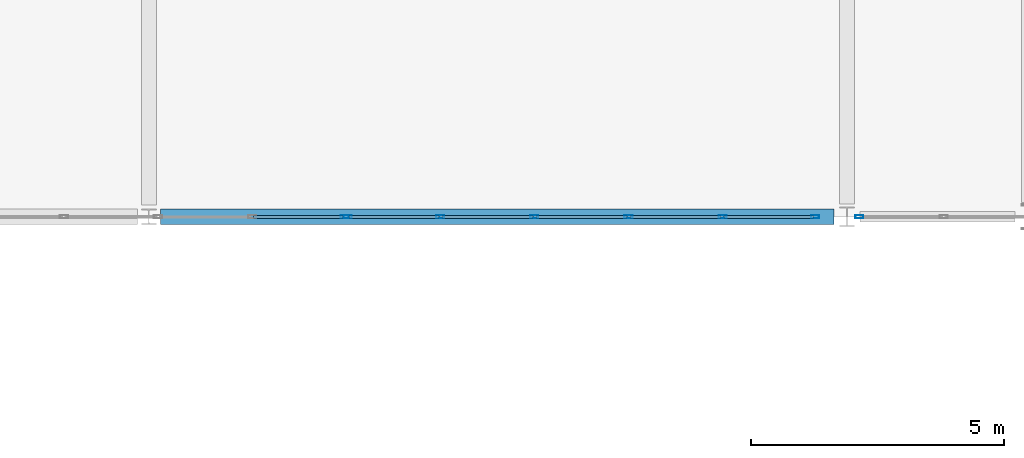
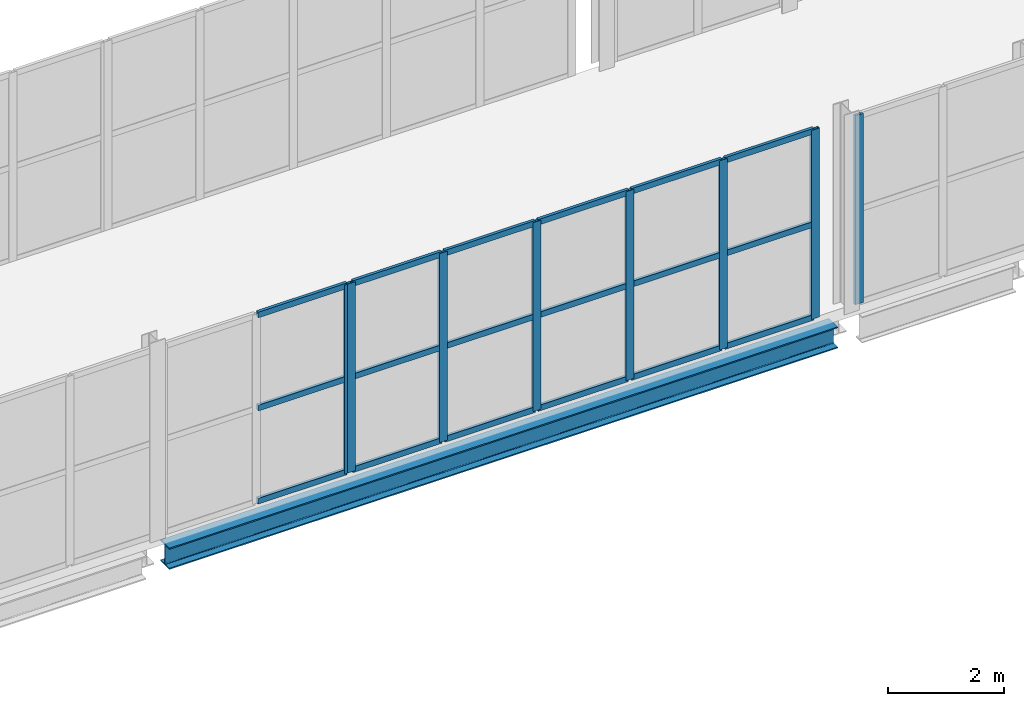
# One storey, part 56 of 121: 26 members, 1 beam, 3 elements without a shape of their own.
"""IFC4 building model written with IfcOpenShell, lengths in metres."""

from ifc_helpers import new_model, si_unit, direction, frame, origin, origin_2d, place, context, subcontext, project, spatial, hollow_rectangle, i_section, extrude, material, layer, layer_set, material_profile, profile_set, type_object, element, aggregate, save


model = new_model("IFC4")

# Units and contexts
model_context = context("Model", 3, precision=1e-05, world=origin(), true_north=direction((0.0, 1.0)))
body_context = subcontext(model_context, "Body", "Model", "MODEL_VIEW")
ifc_project = project(units=[si_unit("LENGTHUNIT", "METRE"), si_unit("AREAUNIT", "SQUARE_METRE"), si_unit("VOLUMEUNIT", "CUBIC_METRE"), si_unit("PLANEANGLEUNIT", "RADIAN"), si_unit("MASSUNIT", "GRAM", prefix="KILO")], contexts=[model_context])

# Site, building, storey
site_placement = place(None, origin())
site = spatial("IfcSite", under=ifc_project, at=site_placement, CompositionType="ELEMENT")
building_placement = place(site_placement, origin())
building = spatial("IfcBuilding", under=site, at=building_placement, Name="Vinh Khe Railworks Police Headquarters", CompositionType="ELEMENT")
storey_placement = place(building_placement, frame((0.0, 0.0, 4.800048828125)))
storey = spatial("IfcBuildingStorey", under=building, at=storey_placement, Name="L01", CompositionType="ELEMENT", Elevation=4.800048828125)

# Curtain wall, member
ifc_material_1 = material(Name="Anodised aluminium and solar-control glass", Category="aluminium")
ifc_layer = layer(ifc_material_1, 0.159912109375)
ifc_layer_set = layer_set([ifc_layer], Name="Anodised aluminium and solar-control glass")
curtain_wall_type = type_object("IfcCurtainWallType", Name="CW-SHOPFRONT", PredefinedType="USERDEFINED", material=ifc_layer_set)
curtain_wall_1_placement = place(storey_placement, origin())
curtain_wall_1 = element("IfcCurtainWall", 1, at=curtain_wall_1_placement, inside=storey, type_object=curtain_wall_type, Name="Link Bridge South Glazing L01 Bay 3", ObjectType="UNITISED GLAZING", PredefinedType="USERDEFINED")
ifc_material_2 = material(Name="Anodised aluminium 6063-T6", Category="aluminium")
ifc_material_profile_1 = material_profile(ifc_material_2, hollow_rectangle(XDim=0.06005859375, YDim=0.159912109375, WallThickness=0.00390625, at=origin_2d()), Name="CW-M 60x160x4")
ifc_profile_set_1 = profile_set([ifc_material_profile_1], Name="Anodised aluminium 6063-T6")
member_type_1 = type_object("IfcMemberType", Name="MULL-CWM-01", PredefinedType="MULLION", material=ifc_profile_set_1)
member_1_placement = place(storey_placement, frame((50.070068359375, 96.0, 0.0), z_axis=(0.0, 0.0, 1.0), x_axis=(0.0, 1.0, 0.0)))
member_1 = element("IfcMember", 2, at=member_1_placement, type_object=member_type_1, Name="CW-03 mullion 6", PredefinedType="MULLION", context=body_context, shape_type="SweptSolid", body=[
    extrude(hollow_rectangle(XDim=0.06005859375, YDim=0.159912109375, WallThickness=0.00390625, at=origin_2d()), origin(), (0.0, 0.0, 1.0), 3.97998046875),
])

# Curtain wall, members
curtain_wall_2_placement = place(storey_placement, origin())
curtain_wall_2 = element("IfcCurtainWall", 3, at=curtain_wall_2_placement, inside=storey, type_object=curtain_wall_type, Name="Link Bridge South Glazing L01 Bay 4", ObjectType="UNITISED GLAZING", PredefinedType="USERDEFINED")
member_2_placement = place(storey_placement, frame((50.1298828125, 96.0, 0.0), z_axis=(0.0, 0.0, 1.0), x_axis=(0.0, 1.0, 0.0)))
member_2 = element("IfcMember", 4, at=member_2_placement, type_object=member_type_1, Name="CW-03 mullion 1", PredefinedType="MULLION", context=body_context, shape_type="SweptSolid", body=[
    extrude(hollow_rectangle(XDim=0.06005859375, YDim=0.159912109375, WallThickness=0.00390625, at=origin_2d()), origin(), (0.0, 0.0, 1.0), 3.97998046875),
])
member_3_placement = place(storey_placement, frame((51.9599609375, 96.0, 0.0), z_axis=(0.0, 0.0, 1.0), x_axis=(0.0, 1.0, 0.0)))
member_3 = element("IfcMember", 5, at=member_3_placement, type_object=member_type_1, Name="CW-03 mullion 2", PredefinedType="MULLION", context=body_context, shape_type="SweptSolid", body=[
    extrude(hollow_rectangle(XDim=0.06005859375, YDim=0.159912109375, WallThickness=0.00390625, at=origin_2d()), origin(), (0.0, 0.0, 1.0), 3.97998046875),
])
member_4_placement = place(storey_placement, frame((53.820068359375, 96.0, 0.0), z_axis=(0.0, 0.0, 1.0), x_axis=(0.0, 1.0, 0.0)))
member_4 = element("IfcMember", 6, at=member_4_placement, type_object=member_type_1, Name="CW-03 mullion 3", PredefinedType="MULLION", context=body_context, shape_type="SweptSolid", body=[
    extrude(hollow_rectangle(XDim=0.06005859375, YDim=0.159912109375, WallThickness=0.00390625, at=origin_2d()), origin(), (0.0, 0.0, 1.0), 3.97998046875),
])
member_5_placement = place(storey_placement, frame((55.679931640625, 96.0, 0.0), z_axis=(0.0, 0.0, 1.0), x_axis=(0.0, 1.0, 0.0)))
member_5 = element("IfcMember", 7, at=member_5_placement, type_object=member_type_1, Name="CW-03 mullion 4", PredefinedType="MULLION", context=body_context, shape_type="SweptSolid", body=[
    extrude(hollow_rectangle(XDim=0.06005859375, YDim=0.159912109375, WallThickness=0.00390625, at=origin_2d()), origin(), (0.0, 0.0, 1.0), 3.97998046875),
])
member_6_placement = place(storey_placement, frame((57.5400390625, 96.0, 0.0), z_axis=(0.0, 0.0, 1.0), x_axis=(0.0, 1.0, 0.0)))
member_6 = element("IfcMember", 8, at=member_6_placement, type_object=member_type_1, Name="CW-03 mullion 5", PredefinedType="MULLION", context=body_context, shape_type="SweptSolid", body=[
    extrude(hollow_rectangle(XDim=0.06005859375, YDim=0.159912109375, WallThickness=0.00390625, at=origin_2d()), origin(), (0.0, 0.0, 1.0), 3.97998046875),
])
member_7_placement = place(storey_placement, frame((59.3701171875, 96.0, 0.0), z_axis=(0.0, 0.0, 1.0), x_axis=(0.0, 1.0, 0.0)))
member_7 = element("IfcMember", 9, at=member_7_placement, type_object=member_type_1, Name="CW-03 mullion 6", PredefinedType="MULLION", context=body_context, shape_type="SweptSolid", body=[
    extrude(hollow_rectangle(XDim=0.06005859375, YDim=0.159912109375, WallThickness=0.00390625, at=origin_2d()), origin(), (0.0, 0.0, 1.0), 3.97998046875),
])

# Curtain wall, member
curtain_wall_3_placement = place(storey_placement, origin())
curtain_wall_3 = element("IfcCurtainWall", 10, at=curtain_wall_3_placement, inside=storey, type_object=curtain_wall_type, Name="Link Bridge South Glazing L01 Bay 5", ObjectType="UNITISED GLAZING", PredefinedType="USERDEFINED")
member_8_placement = place(storey_placement, frame((60.2451171875, 96.0, 0.0), z_axis=(0.0, 0.0, 1.0), x_axis=(0.0, 1.0, 0.0)))
member_8 = element("IfcMember", 11, at=member_8_placement, type_object=member_type_1, Name="CW-03 mullion 1", PredefinedType="MULLION", context=body_context, shape_type="SweptSolid", body=[
    extrude(hollow_rectangle(XDim=0.06005859375, YDim=0.159912109375, WallThickness=0.00390625, at=origin_2d()), origin(), (0.0, 0.0, 1.0), 3.97998046875),
])
aggregate(curtain_wall_3, [member_8])

# Beam
ifc_material_3 = material(Name="Steel S355JR", Category="steel")
ifc_material_profile_2 = material_profile(ifc_material_3, i_section(OverallWidth=0.300048828125, OverallDepth=0.449951171875, WebThickness=0.013916015625, FlangeThickness=0.02587890625, FilletRadius=0.027099609375, at=origin_2d()), Name="HEB 450")
ifc_profile_set_2 = profile_set([ifc_material_profile_2], Name="Steel S355JR")
beam_type = type_object("IfcBeamType", Name="Steel Girder HEB 450", PredefinedType="BEAM", material=ifc_profile_set_2)
beam_placement = place(storey_placement, frame((46.429931640625, 96.0, -0.465087890625), z_axis=(1.0, 0.0, 0.0), x_axis=(0.0, 1.0, 0.0)))
element("IfcBeam", 12, at=beam_placement, inside=storey, type_object=beam_type, Name="Girder BM-L01-EW-SB-07-0483", PredefinedType="BEAM", context=body_context, shape_type="SweptSolid", body=[
    extrude(i_section(OverallWidth=0.300048828125, OverallDepth=0.449951171875, WebThickness=0.013916015625, FlangeThickness=0.02587890625, FilletRadius=0.027099609375, at=origin_2d()), origin(), (0.0, 0.0, 1.0), 13.315185546875),
])

# Member
ifc_material_profile_3 = material_profile(ifc_material_2, hollow_rectangle(XDim=0.06005859375, YDim=0.1201171875, WallThickness=0.00390625, at=origin_2d()), Name="CW-T 60x120x4")
ifc_profile_set_3 = profile_set([ifc_material_profile_3], Name="Anodised aluminium 6063-T6")
member_type_2 = type_object("IfcMemberType", Name="TRAN-CWT-01", PredefinedType="USERDEFINED", material=ifc_profile_set_3)
member_9_placement = place(storey_placement, frame((48.27001953125, 96.0, 0.030029296875), z_axis=(1.0, 0.0, 0.0), x_axis=(0.0, 1.0, 0.0)))
member_9 = element("IfcMember", 13, at=member_9_placement, type_object=member_type_2, Name="CW-03 transom 5.1", ObjectType="TRANSOM", PredefinedType="USERDEFINED", context=body_context, shape_type="SweptSolid", body=[
    extrude(hollow_rectangle(XDim=0.06005859375, YDim=0.1201171875, WallThickness=0.00390625, at=origin_2d()), origin(), (0.0, 0.0, 1.0), 1.77001953125),
])

member_10_placement = place(storey_placement, frame((48.27001953125, 96.0, 1.989990234375), z_axis=(1.0, 0.0, 0.0), x_axis=(0.0, 1.0, 0.0)))
member_10 = element("IfcMember", 14, at=member_10_placement, type_object=member_type_2, Name="CW-03 transom 5.2", ObjectType="TRANSOM", PredefinedType="USERDEFINED", context=body_context, shape_type="SweptSolid", body=[
    extrude(hollow_rectangle(XDim=0.06005859375, YDim=0.1201171875, WallThickness=0.00390625, at=origin_2d()), origin(), (0.0, 0.0, 1.0), 1.77001953125),
])

member_11_placement = place(storey_placement, frame((48.27001953125, 96.0, 3.949951171875), z_axis=(1.0, 0.0, 0.0), x_axis=(0.0, 1.0, 0.0)))
member_11 = element("IfcMember", 15, at=member_11_placement, type_object=member_type_2, Name="CW-03 transom 5.3", ObjectType="TRANSOM", PredefinedType="USERDEFINED", context=body_context, shape_type="SweptSolid", body=[
    extrude(hollow_rectangle(XDim=0.06005859375, YDim=0.1201171875, WallThickness=0.00390625, at=origin_2d()), origin(), (0.0, 0.0, 1.0), 1.77001953125),
])

aggregate(curtain_wall_1, [member_1, member_9, member_10, member_11])

member_12_placement = place(storey_placement, frame((50.159912109375, 96.0, 0.030029296875), z_axis=(1.0, 0.0, 0.0), x_axis=(0.0, 1.0, 0.0)))
member_12 = element("IfcMember", 16, at=member_12_placement, type_object=member_type_2, Name="CW-03 transom 1.1", ObjectType="TRANSOM", PredefinedType="USERDEFINED", context=body_context, shape_type="SweptSolid", body=[
    extrude(hollow_rectangle(XDim=0.06005859375, YDim=0.1201171875, WallThickness=0.00390625, at=origin_2d()), origin(), (0.0, 0.0, 1.0), 1.77001953125),
])

member_13_placement = place(storey_placement, frame((50.159912109375, 96.0, 1.989990234375), z_axis=(1.0, 0.0, 0.0), x_axis=(0.0, 1.0, 0.0)))
member_13 = element("IfcMember", 17, at=member_13_placement, type_object=member_type_2, Name="CW-03 transom 1.2", ObjectType="TRANSOM", PredefinedType="USERDEFINED", context=body_context, shape_type="SweptSolid", body=[
    extrude(hollow_rectangle(XDim=0.06005859375, YDim=0.1201171875, WallThickness=0.00390625, at=origin_2d()), origin(), (0.0, 0.0, 1.0), 1.77001953125),
])

member_14_placement = place(storey_placement, frame((50.159912109375, 96.0, 3.949951171875), z_axis=(1.0, 0.0, 0.0), x_axis=(0.0, 1.0, 0.0)))
member_14 = element("IfcMember", 18, at=member_14_placement, type_object=member_type_2, Name="CW-03 transom 1.3", ObjectType="TRANSOM", PredefinedType="USERDEFINED", context=body_context, shape_type="SweptSolid", body=[
    extrude(hollow_rectangle(XDim=0.06005859375, YDim=0.1201171875, WallThickness=0.00390625, at=origin_2d()), origin(), (0.0, 0.0, 1.0), 1.77001953125),
])

member_15_placement = place(storey_placement, frame((51.989990234375, 96.0, 0.030029296875), z_axis=(1.0, 0.0, 0.0), x_axis=(0.0, 1.0, 0.0)))
member_15 = element("IfcMember", 19, at=member_15_placement, type_object=member_type_2, Name="CW-03 transom 2.1", ObjectType="TRANSOM", PredefinedType="USERDEFINED", context=body_context, shape_type="SweptSolid", body=[
    extrude(hollow_rectangle(XDim=0.06005859375, YDim=0.1201171875, WallThickness=0.00390625, at=origin_2d()), origin(), (0.0, 0.0, 1.0), 1.800048828125),
])

member_16_placement = place(storey_placement, frame((51.989990234375, 96.0, 1.989990234375), z_axis=(1.0, 0.0, 0.0), x_axis=(0.0, 1.0, 0.0)))
member_16 = element("IfcMember", 20, at=member_16_placement, type_object=member_type_2, Name="CW-03 transom 2.2", ObjectType="TRANSOM", PredefinedType="USERDEFINED", context=body_context, shape_type="SweptSolid", body=[
    extrude(hollow_rectangle(XDim=0.06005859375, YDim=0.1201171875, WallThickness=0.00390625, at=origin_2d()), origin(), (0.0, 0.0, 1.0), 1.800048828125),
])

member_17_placement = place(storey_placement, frame((51.989990234375, 96.0, 3.949951171875), z_axis=(1.0, 0.0, 0.0), x_axis=(0.0, 1.0, 0.0)))
member_17 = element("IfcMember", 21, at=member_17_placement, type_object=member_type_2, Name="CW-03 transom 2.3", ObjectType="TRANSOM", PredefinedType="USERDEFINED", context=body_context, shape_type="SweptSolid", body=[
    extrude(hollow_rectangle(XDim=0.06005859375, YDim=0.1201171875, WallThickness=0.00390625, at=origin_2d()), origin(), (0.0, 0.0, 1.0), 1.800048828125),
])

member_18_placement = place(storey_placement, frame((53.85009765625, 96.0, 0.030029296875), z_axis=(1.0, 0.0, 0.0), x_axis=(0.0, 1.0, 0.0)))
member_18 = element("IfcMember", 22, at=member_18_placement, type_object=member_type_2, Name="CW-03 transom 3.1", ObjectType="TRANSOM", PredefinedType="USERDEFINED", context=body_context, shape_type="SweptSolid", body=[
    extrude(hollow_rectangle(XDim=0.06005859375, YDim=0.1201171875, WallThickness=0.00390625, at=origin_2d()), origin(), (0.0, 0.0, 1.0), 1.7998046875),
])

member_19_placement = place(storey_placement, frame((53.85009765625, 96.0, 1.989990234375), z_axis=(1.0, 0.0, 0.0), x_axis=(0.0, 1.0, 0.0)))
member_19 = element("IfcMember", 23, at=member_19_placement, type_object=member_type_2, Name="CW-03 transom 3.2", ObjectType="TRANSOM", PredefinedType="USERDEFINED", context=body_context, shape_type="SweptSolid", body=[
    extrude(hollow_rectangle(XDim=0.06005859375, YDim=0.1201171875, WallThickness=0.00390625, at=origin_2d()), origin(), (0.0, 0.0, 1.0), 1.7998046875),
])

member_20_placement = place(storey_placement, frame((53.85009765625, 96.0, 3.949951171875), z_axis=(1.0, 0.0, 0.0), x_axis=(0.0, 1.0, 0.0)))
member_20 = element("IfcMember", 24, at=member_20_placement, type_object=member_type_2, Name="CW-03 transom 3.3", ObjectType="TRANSOM", PredefinedType="USERDEFINED", context=body_context, shape_type="SweptSolid", body=[
    extrude(hollow_rectangle(XDim=0.06005859375, YDim=0.1201171875, WallThickness=0.00390625, at=origin_2d()), origin(), (0.0, 0.0, 1.0), 1.7998046875),
])

member_21_placement = place(storey_placement, frame((55.7099609375, 96.0, 0.030029296875), z_axis=(1.0, 0.0, 0.0), x_axis=(0.0, 1.0, 0.0)))
member_21 = element("IfcMember", 25, at=member_21_placement, type_object=member_type_2, Name="CW-03 transom 4.1", ObjectType="TRANSOM", PredefinedType="USERDEFINED", context=body_context, shape_type="SweptSolid", body=[
    extrude(hollow_rectangle(XDim=0.06005859375, YDim=0.1201171875, WallThickness=0.00390625, at=origin_2d()), origin(), (0.0, 0.0, 1.0), 1.800048828125),
])

member_22_placement = place(storey_placement, frame((55.7099609375, 96.0, 1.989990234375), z_axis=(1.0, 0.0, 0.0), x_axis=(0.0, 1.0, 0.0)))
member_22 = element("IfcMember", 26, at=member_22_placement, type_object=member_type_2, Name="CW-03 transom 4.2", ObjectType="TRANSOM", PredefinedType="USERDEFINED", context=body_context, shape_type="SweptSolid", body=[
    extrude(hollow_rectangle(XDim=0.06005859375, YDim=0.1201171875, WallThickness=0.00390625, at=origin_2d()), origin(), (0.0, 0.0, 1.0), 1.800048828125),
])

member_23_placement = place(storey_placement, frame((55.7099609375, 96.0, 3.949951171875), z_axis=(1.0, 0.0, 0.0), x_axis=(0.0, 1.0, 0.0)))
member_23 = element("IfcMember", 27, at=member_23_placement, type_object=member_type_2, Name="CW-03 transom 4.3", ObjectType="TRANSOM", PredefinedType="USERDEFINED", context=body_context, shape_type="SweptSolid", body=[
    extrude(hollow_rectangle(XDim=0.06005859375, YDim=0.1201171875, WallThickness=0.00390625, at=origin_2d()), origin(), (0.0, 0.0, 1.0), 1.800048828125),
])

member_24_placement = place(storey_placement, frame((57.570068359375, 96.0, 0.030029296875), z_axis=(1.0, 0.0, 0.0), x_axis=(0.0, 1.0, 0.0)))
member_24 = element("IfcMember", 28, at=member_24_placement, type_object=member_type_2, Name="CW-03 transom 5.1", ObjectType="TRANSOM", PredefinedType="USERDEFINED", context=body_context, shape_type="SweptSolid", body=[
    extrude(hollow_rectangle(XDim=0.06005859375, YDim=0.1201171875, WallThickness=0.00390625, at=origin_2d()), origin(), (0.0, 0.0, 1.0), 1.77001953125),
])

member_25_placement = place(storey_placement, frame((57.570068359375, 96.0, 1.989990234375), z_axis=(1.0, 0.0, 0.0), x_axis=(0.0, 1.0, 0.0)))
member_25 = element("IfcMember", 29, at=member_25_placement, type_object=member_type_2, Name="CW-03 transom 5.2", ObjectType="TRANSOM", PredefinedType="USERDEFINED", context=body_context, shape_type="SweptSolid", body=[
    extrude(hollow_rectangle(XDim=0.06005859375, YDim=0.1201171875, WallThickness=0.00390625, at=origin_2d()), origin(), (0.0, 0.0, 1.0), 1.77001953125),
])

member_26_placement = place(storey_placement, frame((57.570068359375, 96.0, 3.949951171875), z_axis=(1.0, 0.0, 0.0), x_axis=(0.0, 1.0, 0.0)))
member_26 = element("IfcMember", 30, at=member_26_placement, type_object=member_type_2, Name="CW-03 transom 5.3", ObjectType="TRANSOM", PredefinedType="USERDEFINED", context=body_context, shape_type="SweptSolid", body=[
    extrude(hollow_rectangle(XDim=0.06005859375, YDim=0.1201171875, WallThickness=0.00390625, at=origin_2d()), origin(), (0.0, 0.0, 1.0), 1.77001953125),
])

aggregate(curtain_wall_2, [member_2, member_3, member_4, member_5, member_6, member_7, member_12, member_13, member_14, member_15, member_16, member_17, member_18, member_19, member_20, member_21, member_22, member_23, member_24, member_25, member_26])

save(model, "model.ifc")
